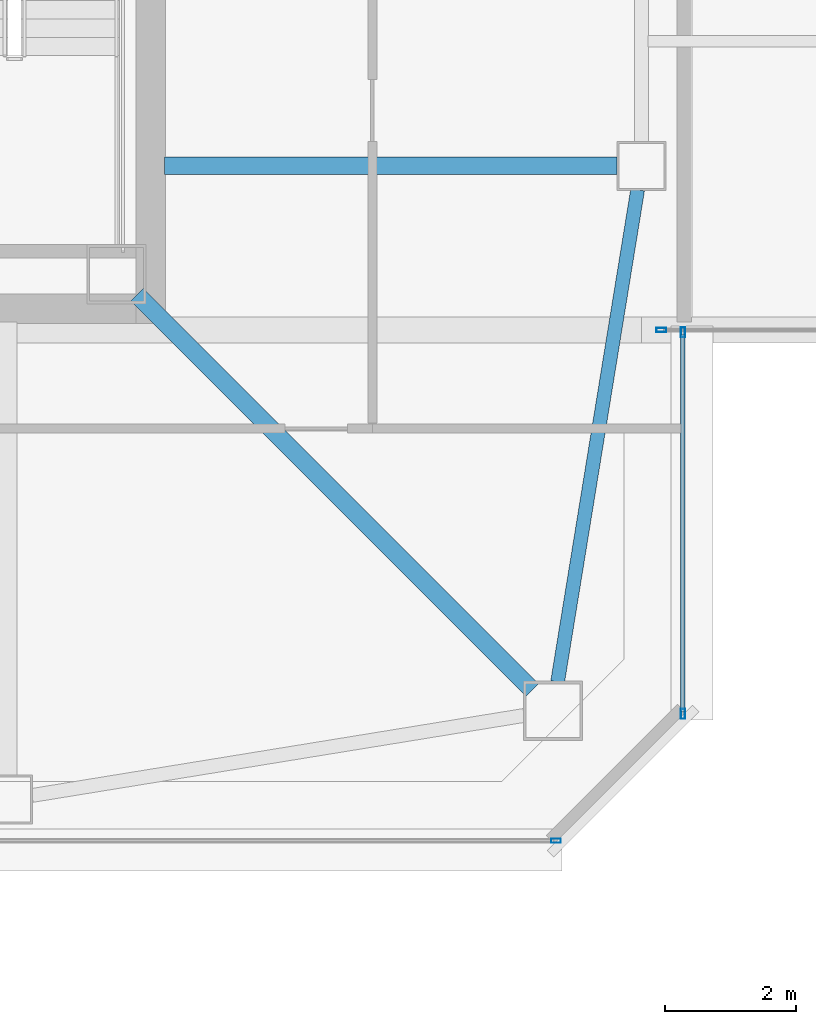
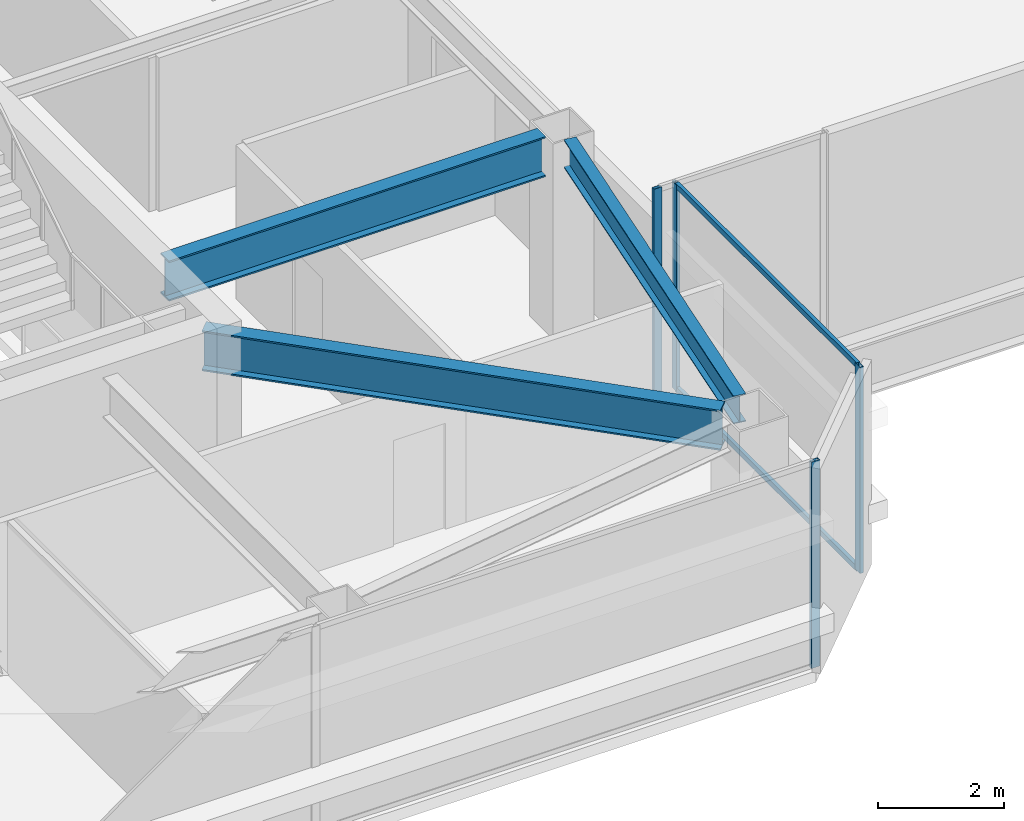
# One storey, part 11 of 51: 6 members, 3 beams, 3 elements without a shape of their own.
"""IFC4 building model written with IfcOpenShell, lengths in metres."""

from ifc_helpers import new_model, si_unit, direction, frame, origin, origin_2d, place, context, subcontext, project, spatial, hollow_rectangle, i_section, extrude, material, material_profile, profile_set, type_object, element, aggregate, save


model = new_model("IFC4")

# Units and contexts
model_context = context("Model", 3, precision=1e-05, world=origin(), true_north=direction((0.0, 1.0)))
body_context = subcontext(model_context, "Body", "Model", "MODEL_VIEW")
ifc_project = project(units=[si_unit("LENGTHUNIT", "METRE"), si_unit("AREAUNIT", "SQUARE_METRE"), si_unit("VOLUMEUNIT", "CUBIC_METRE"), si_unit("PLANEANGLEUNIT", "RADIAN"), si_unit("MASSUNIT", "GRAM", prefix="KILO")], contexts=[model_context])

# Site, building, storey
site_placement = place(None, origin())
site = spatial("IfcSite", under=ifc_project, at=site_placement, CompositionType="ELEMENT")
building_placement = place(site_placement, origin())
building = spatial("IfcBuilding", under=site, at=building_placement, Name="Tashvorn Skyway Center", CompositionType="ELEMENT")
storey_placement = place(building_placement, frame((0.0, 0.0, 251.39990234375)))
storey = spatial("IfcBuildingStorey", under=building, at=storey_placement, Name="L68", CompositionType="ELEMENT", Elevation=251.39990234375)

# Beams
ifc_material_1 = material(Name="Steel ASTM A992 Grade 50", Category="steel")
ifc_material_profile_1 = material_profile(ifc_material_1, i_section(OverallWidth=0.26708984375, OverallDepth=0.779052734375, WebThickness=0.0166015625, FlangeThickness=0.030029296875, at=origin_2d()), Name="W30X148")
ifc_profile_set_1 = profile_set([ifc_material_profile_1], Name="Steel ASTM A992 Grade 50")
beam_type_1 = type_object("IfcBeamType", Name="BM-BEAM-W30X148", PredefinedType="BEAM", material=ifc_profile_set_1)
beam_1_placement = place(storey_placement, frame((55.38525390625, 18.61474609375, 3.390625), z_axis=(-0.707106781187, 0.707106781187, 0.0), x_axis=(-0.707106781187, -0.707106781187, 0.0)))
element("IfcBeam", 1, at=beam_1_placement, inside=storey, type_object=beam_type_1, Name="Tower 1 L68 Primary Floor Girder MC-SE", PredefinedType="BEAM", context=body_context, shape_type="SweptSolid", body=[
    extrude(i_section(OverallWidth=0.26708984375, OverallDepth=0.779052734375, WebThickness=0.0166015625, FlangeThickness=0.030029296875, at=origin_2d()), origin(), (0.0, 0.0, 1.0), 8.514404296875),
])
beam_2_placement = place(storey_placement, frame((56.679931640625, 26.60009765625, 3.390625), z_axis=(-1.0, 0.0, 0.0), x_axis=(0.0, -1.0, 0.0)))
element("IfcBeam", 2, at=beam_2_placement, inside=storey, type_object=beam_type_1, Name="Tower 1 L68 Primary Floor Girder FC-E1", PredefinedType="BEAM", context=body_context, shape_type="SweptSolid", body=[
    extrude(i_section(OverallWidth=0.26708984375, OverallDepth=0.779052734375, WebThickness=0.0166015625, FlangeThickness=0.030029296875, at=origin_2d()), origin(), (0.0, 0.0, 1.0), 6.89990234375),
])
ifc_material_profile_2 = material_profile(ifc_material_1, i_section(OverallWidth=0.2109375, OverallDepth=0.5390625, WebThickness=0.01171875, FlangeThickness=0.018798828125, at=origin_2d()), Name="W21X73")
ifc_profile_set_2 = profile_set([ifc_material_profile_2], Name="Steel ASTM A992 Grade 50")
beam_type_2 = type_object("IfcBeamType", Name="BM-SPANDREL-W21X73", PredefinedType="SPANDREL", material=ifc_profile_set_2)
beam_3_placement = place(storey_placement, frame((55.771484375, 18.7392578125, 3.510498046875), z_axis=(0.160519005885, 0.987032749583, 0.0), x_axis=(-0.987032749583, 0.160519005885, 0.0)))
element("IfcBeam", 3, at=beam_3_placement, inside=storey, type_object=beam_type_2, Name="Tower 1 L68 Spandrel Beam 04", PredefinedType="SPANDREL", context=body_context, shape_type="SweptSolid", body=[
    extrude(i_section(OverallWidth=0.2109375, OverallDepth=0.5390625, WebThickness=0.01171875, FlangeThickness=0.018798828125, at=origin_2d()), origin(), (0.0, 0.0, 1.0), 7.593994140625),
])

# Curtain wall, member
ifc_material_2 = material(Name="Thermally broken bronze-anodized aluminium 6063-T6", Category="aluminium")
curtain_wall_type = type_object("IfcCurtainWallType", Name="CW-CW-SKY", PredefinedType="NOTDEFINED", material=ifc_material_2)
curtain_wall_1_placement = place(storey_placement, origin())
curtain_wall_1 = element("IfcCurtainWall", 4, at=curtain_wall_1_placement, inside=storey, type_object=curtain_wall_type, Name="Tower 1 L68 South Unitised Curtain Wall", PredefinedType="NOTDEFINED")
ifc_material_profile_3 = material_profile(ifc_material_2, hollow_rectangle(XDim=0.06494140625, YDim=0.14990234375, WallThickness=0.00390625, at=origin_2d()), Name="ALU-MULL-65x150")
ifc_profile_set_3 = profile_set([ifc_material_profile_3], Name="Thermally broken bronze-anodized aluminium 6063-T6")
member_type_1 = type_object("IfcMemberType", Name="CWM-CW-SKY", PredefinedType="MULLION", material=ifc_profile_set_3)
member_1_placement = place(storey_placement, frame((55.74755859375, 16.320068359375, 0.0), z_axis=(0.0, 0.0, 1.0), x_axis=(0.0, -1.0, 0.0)))
member_1 = element("IfcMember", 5, at=member_1_placement, type_object=member_type_1, Name="CW-SKY mullion 1", PredefinedType="MULLION", context=body_context, shape_type="SweptSolid", body=[
    extrude(hollow_rectangle(XDim=0.06494140625, YDim=0.14990234375, WallThickness=0.00390625, at=origin_2d()), origin(), (0.0, 0.0, 1.0), 4.0),
])
aggregate(curtain_wall_1, [member_1])

# Curtain wall, members
curtain_wall_2_placement = place(storey_placement, origin())
curtain_wall_2 = element("IfcCurtainWall", 6, at=curtain_wall_2_placement, inside=storey, type_object=curtain_wall_type, Name="Tower 1 L68 East Curtain Wall B", PredefinedType="NOTDEFINED")
member_2_placement = place(storey_placement, frame((57.679931640625, 24.0673828125, 0.0), z_axis=(0.0, 0.0, 1.0), x_axis=(1.0, 0.0, 0.0)))
member_2 = element("IfcMember", 7, at=member_2_placement, type_object=member_type_1, Name="CW-SKY mullion 1", PredefinedType="MULLION", context=body_context, shape_type="SweptSolid", body=[
    extrude(hollow_rectangle(XDim=0.06494140625, YDim=0.14990234375, WallThickness=0.00390625, at=origin_2d()), origin(), (0.0, 0.0, 1.0), 4.0),
])
member_3_placement = place(storey_placement, frame((57.679931640625, 18.25244140625, 0.0), z_axis=(0.0, 0.0, 1.0), x_axis=(1.0, 0.0, 0.0)))
member_3 = element("IfcMember", 8, at=member_3_placement, type_object=member_type_1, Name="CW-SKY mullion 2", PredefinedType="MULLION", context=body_context, shape_type="SweptSolid", body=[
    extrude(hollow_rectangle(XDim=0.06494140625, YDim=0.14990234375, WallThickness=0.00390625, at=origin_2d()), origin(), (0.0, 0.0, 1.0), 4.0),
])

# Curtain wall, member
curtain_wall_3_placement = place(storey_placement, origin())
curtain_wall_3 = element("IfcCurtainWall", 9, at=curtain_wall_3_placement, inside=storey, type_object=curtain_wall_type, Name="Sky-Park L68 Bridge South Curtain Wall Glazing Group 3", PredefinedType="NOTDEFINED")
member_4_placement = place(storey_placement, frame((57.3525390625, 24.10009765625, 0.0), z_axis=(0.0, 0.0, 1.0), x_axis=(0.0, -1.0, 0.0)))
member_4 = element("IfcMember", 10, at=member_4_placement, type_object=member_type_1, Name="CW-SKY mullion 2", PredefinedType="MULLION", context=body_context, shape_type="SweptSolid", body=[
    extrude(hollow_rectangle(XDim=0.06494140625, YDim=0.14990234375, WallThickness=0.00390625, at=origin_2d()), origin(), (0.0, 0.0, 1.0), 4.0),
])
aggregate(curtain_wall_3, [member_4])

# Member
ifc_material_profile_4 = material_profile(ifc_material_2, hollow_rectangle(XDim=0.06494140625, YDim=0.10498046875, WallThickness=0.00390625, at=origin_2d()), Name="ALU-TRAN-65x105")
ifc_profile_set_4 = profile_set([ifc_material_profile_4], Name="Thermally broken bronze-anodized aluminium 6063-T6")
member_type_2 = type_object("IfcMemberType", Name="CWT-CW-SKY", PredefinedType="USERDEFINED", material=ifc_profile_set_4)
member_5_placement = place(storey_placement, frame((57.679931640625, 24.034912109375, 0.03271484375), z_axis=(0.0, -1.0, 0.0), x_axis=(1.0, 0.0, 0.0)))
member_5 = element("IfcMember", 11, at=member_5_placement, type_object=member_type_2, Name="CW-SKY transom 1.1", ObjectType="TRANSOM", PredefinedType="USERDEFINED", context=body_context, shape_type="SweptSolid", body=[
    extrude(hollow_rectangle(XDim=0.06494140625, YDim=0.10498046875, WallThickness=0.00390625, at=origin_2d()), origin(), (0.0, 0.0, 1.0), 5.75),
])

member_6_placement = place(storey_placement, frame((57.679931640625, 24.034912109375, 3.967529296875), z_axis=(0.0, -1.0, 0.0), x_axis=(1.0, 0.0, 0.0)))
member_6 = element("IfcMember", 12, at=member_6_placement, type_object=member_type_2, Name="CW-SKY transom 1.2", ObjectType="TRANSOM", PredefinedType="USERDEFINED", context=body_context, shape_type="SweptSolid", body=[
    extrude(hollow_rectangle(XDim=0.06494140625, YDim=0.10498046875, WallThickness=0.00390625, at=origin_2d()), origin(), (0.0, 0.0, 1.0), 5.75),
])

aggregate(curtain_wall_2, [member_2, member_3, member_5, member_6])

save(model, "model.ifc")
